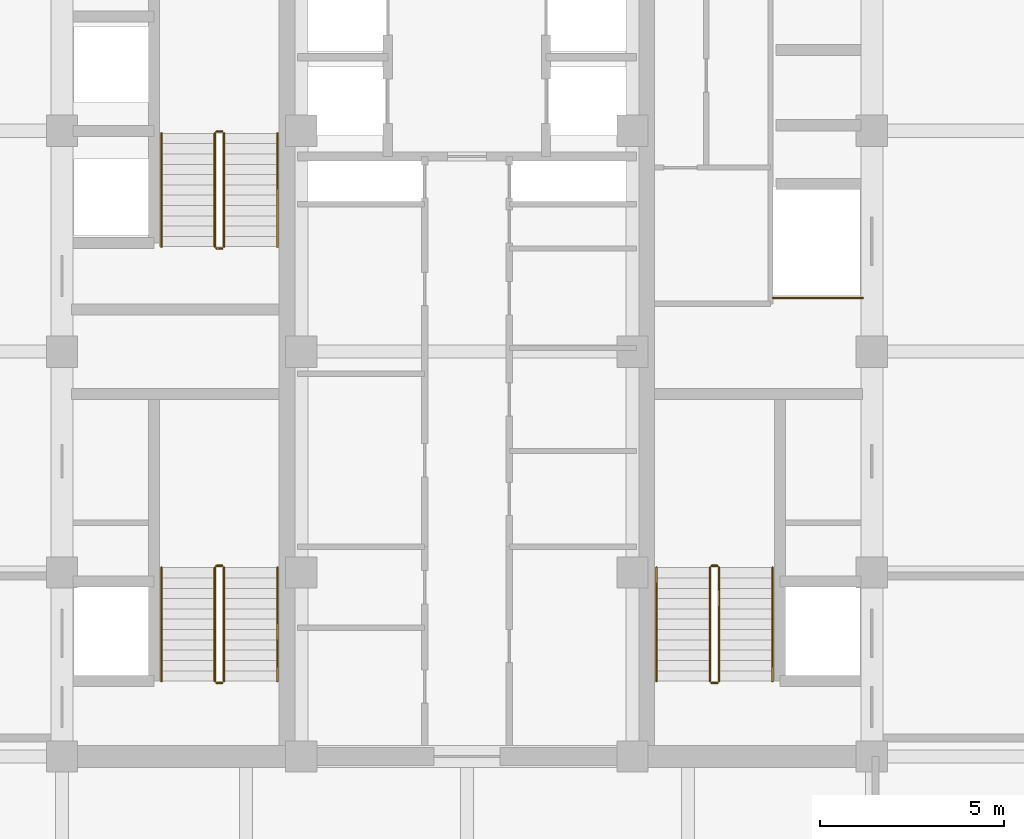
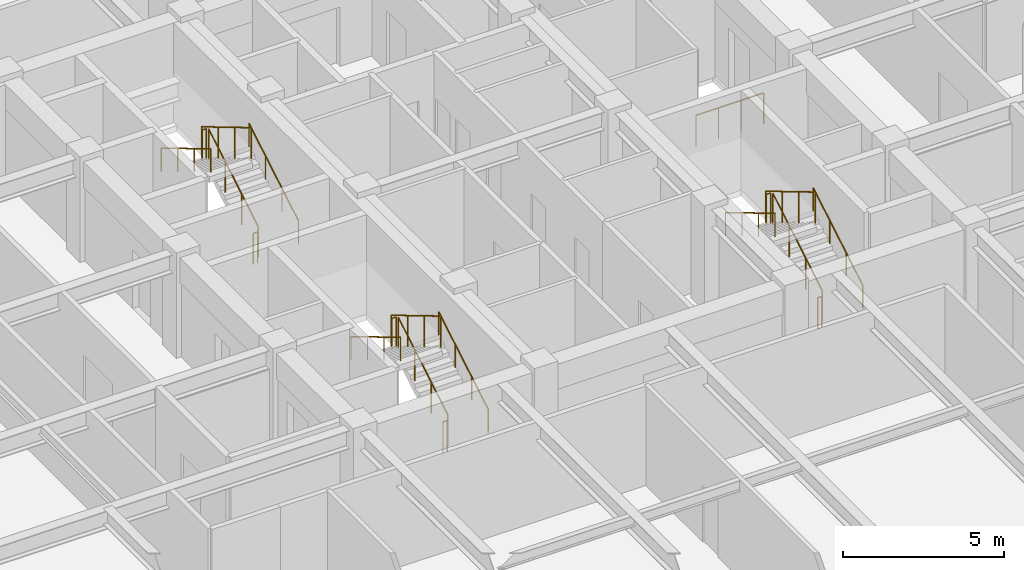
# One storey, part 25 of 25: 19 railings.
"""IFC4 building model written with IfcOpenShell, lengths in metres."""

from ifc_helpers import new_model, si_unit, direction, frame, origin, origin_2d, place, context, subcontext, project, spatial, circle, extrude, source, transform, mapped, material, type_object, element, save


model = new_model("IFC4")

# Units and contexts
model_context = context("Model", 3, precision=1e-05, world=origin(), true_north=direction((0.0, 1.0)))
body_context = subcontext(model_context, "Body", "Model", "MODEL_VIEW")
ifc_project = project(units=[si_unit("LENGTHUNIT", "METRE"), si_unit("AREAUNIT", "SQUARE_METRE"), si_unit("VOLUMEUNIT", "CUBIC_METRE"), si_unit("PLANEANGLEUNIT", "RADIAN"), si_unit("MASSUNIT", "GRAM", prefix="KILO")], contexts=[model_context])

# Site, building, storey
site_placement = place(None, origin())
site = spatial("IfcSite", under=ifc_project, at=site_placement, CompositionType="ELEMENT")
building_placement = place(site_placement, origin())
building = spatial("IfcBuilding", under=site, at=building_placement, Name="Khorayat Bourse Tower", CompositionType="ELEMENT")
storey_placement = place(building_placement, frame((0.0, 0.0, 247.10009765625)))
storey = spatial("IfcBuildingStorey", under=building, at=storey_placement, Name="L58", CompositionType="ELEMENT", Elevation=247.10009765625)

# Railings
ifc_material_1 = material(Name="Powder-coated steel balustrade", Category="steel")
railing_type_1 = type_object("IfcRailingType", Name="RLG-GUARD-1200", PredefinedType="GUARDRAIL", material=ifc_material_1)
shared_shape_1 = source(origin(), body_context, "Body", "SweptSolid", [
    extrude(circle(Radius=0.02392578125, at=origin_2d()), frame((0.0, 0.0, 1.17578125), z_axis=(-1.0, 0.0, 0.0), x_axis=(0.0, -1.0, 0.0)), (0.0, 0.0, 1.0), 0.150146484375),
    extrude(circle(Radius=0.02099609375, at=origin_2d()), origin(), (0.0, 0.0, 1.0), 1.15185546875),
    extrude(circle(Radius=0.02099609375, at=origin_2d()), frame((-0.150146484375, 0.0, 0.0)), (0.0, 0.0, 1.0), 1.15185546875),
])
for number, where, name in (
    (1, (-6.64990234375, -5.820068359375, 2.0), "L58 ST-1 stair guard 2"),
    (2, (-6.64990234375, -9.0, 0.0), "L58 ST-1 stair guard 4"),
    (3, (-6.64990234375, 5.97998046875, 2.0), "L58 ST-2 stair guard 2"),
    (4, (-6.64990234375, 2.800048828125, 0.0), "L58 ST-2 stair guard 4"),
    (5, (6.800048828125, -5.820068359375, 2.0), "L58 ST-3 stair guard 2"),
    (6, (6.800048828125, -9.0, 0.0), "L58 ST-3 stair guard 4"),
):
    element("IfcRailing", number, at=place(storey_placement, frame(where)), inside=storey, type_object=railing_type_1, Name=name, PredefinedType="GUARDRAIL", context=body_context, shape_type="MappedRepresentation", body=[
        mapped(shared_shape_1, transform((0.0, 0.0, 0.0), scale=1.0)),
    ])
shared_shape_2 = source(origin(), body_context, "Body", "SweptSolid", [
    extrude(circle(Radius=0.02392578125, at=origin_2d()), frame((0.0, 0.0, 1.17578125), z_axis=(0.0, 0.859260807169, 0.511537745687), x_axis=(-1.0, 0.0, 0.0)), (0.0, 0.0, 1.0), 3.584228515625),
    extrude(circle(Radius=0.02099609375, at=origin_2d()), origin(), (0.0, 0.0, 1.0), 1.15185546875),
    extrude(circle(Radius=0.02099609375, at=origin_2d()), frame((0.0, 1.026611328125, 0.611083984375)), (0.0, 0.0, 1.0), 1.15185546875),
    extrude(circle(Radius=0.02099609375, at=origin_2d()), frame((0.0, 2.05322265625, 1.222412109375)), (0.0, 0.0, 1.0), 1.15185546875),
    extrude(circle(Radius=0.02099609375, at=origin_2d()), frame((0.0, 3.079833984375, 1.83349609375)), (0.0, 0.0, 1.0), 1.15185546875),
])
for number, where, name in (
    (7, (-6.60009765625, -8.949951171875, 0.16650390625), "L58 ST-1 stair guard 1"),
    (8, (-6.60009765625, 2.85009765625, 0.16650390625), "L58 ST-2 stair guard 1"),
    (9, (6.85009765625, -8.949951171875, 0.16650390625), "L58 ST-3 stair guard 1"),
):
    element("IfcRailing", number, at=place(storey_placement, frame(where)), inside=storey, type_object=railing_type_1, Name=name, PredefinedType="GUARDRAIL", context=body_context, shape_type="MappedRepresentation", body=[
        mapped(shared_shape_2, transform((0.0, 0.0, 0.0), scale=1.0)),
    ])
shared_shape_3 = source(origin(), body_context, "Body", "SweptSolid", [
    extrude(circle(Radius=0.02392578125, at=origin_2d()), frame((0.0, 0.0, 1.17578125), z_axis=(0.0, -0.859260807169, 0.511537745687), x_axis=(1.0, 0.0, 0.0)), (0.0, 0.0, 1.0), 3.584228515625),
    extrude(circle(Radius=0.02099609375, at=origin_2d()), origin(), (0.0, 0.0, 1.0), 1.15185546875),
    extrude(circle(Radius=0.02099609375, at=origin_2d()), frame((0.0, -1.026611328125, 0.611083984375)), (0.0, 0.0, 1.0), 1.15185546875),
    extrude(circle(Radius=0.02099609375, at=origin_2d()), frame((0.0, -2.05322265625, 1.222412109375)), (0.0, 0.0, 1.0), 1.15185546875),
    extrude(circle(Radius=0.02099609375, at=origin_2d()), frame((0.0, -3.079833984375, 1.83349609375)), (0.0, 0.0, 1.0), 1.15185546875),
])
for number, where, name in (
    (10, (-6.85009765625, -5.8701171875, 2.16650390625), "L58 ST-1 stair guard 3"),
    (11, (-6.85009765625, 5.929931640625, 2.16650390625), "L58 ST-2 stair guard 3"),
    (12, (6.60009765625, -5.8701171875, 2.16650390625), "L58 ST-3 stair guard 3"),
):
    element("IfcRailing", number, at=place(storey_placement, frame(where)), inside=storey, type_object=railing_type_1, Name=name, PredefinedType="GUARDRAIL", context=body_context, shape_type="MappedRepresentation", body=[
        mapped(shared_shape_3, transform((0.0, 0.0, 0.0), scale=1.0)),
    ])
ifc_material_2 = material(Name="Brushed bronze stainless-steel handrail", Category="steel")
railing_type_2 = type_object("IfcRailingType", Name="RLG-HAND-900", PredefinedType="HANDRAIL", material=ifc_material_2)
shared_shape_4 = source(origin(), body_context, "Body", "SweptSolid", [
    extrude(circle(Radius=0.02392578125, at=origin_2d()), frame((0.0, 0.0, 0.8759765625), z_axis=(0.0, 0.859260807169, 0.511537745687), x_axis=(-1.0, 0.0, 0.0)), (0.0, 0.0, 1.0), 3.584228515625),
    extrude(circle(Radius=0.02099609375, at=origin_2d()), origin(), (0.0, 0.0, 1.0), 0.851806640625),
    extrude(circle(Radius=0.02099609375, at=origin_2d()), frame((0.0, 1.026611328125, 0.611083984375)), (0.0, 0.0, 1.0), 0.851806640625),
    extrude(circle(Radius=0.02099609375, at=origin_2d()), frame((0.0, 2.05322265625, 1.222412109375)), (0.0, 0.0, 1.0), 0.851806640625),
    extrude(circle(Radius=0.02099609375, at=origin_2d()), frame((0.0, 3.079833984375, 1.83349609375)), (0.0, 0.0, 1.0), 0.851806640625),
])
for number, where, name in (
    (13, (-5.14990234375, -8.949951171875, 0.16650390625), "L58 ST-1 stair handrail 1"),
    (14, (-5.14990234375, 2.85009765625, 0.16650390625), "L58 ST-2 stair handrail 1"),
    (15, (8.300048828125, -8.949951171875, 0.16650390625), "L58 ST-3 stair handrail 1"),
):
    element("IfcRailing", number, at=place(storey_placement, frame(where)), inside=storey, type_object=railing_type_2, Name=name, PredefinedType="HANDRAIL", context=body_context, shape_type="MappedRepresentation", body=[
        mapped(shared_shape_4, transform((0.0, 0.0, 0.0), scale=1.0)),
    ])
shared_shape_5 = source(origin(), body_context, "Body", "SweptSolid", [
    extrude(circle(Radius=0.02392578125, at=origin_2d()), frame((0.0, 0.0, 0.8759765625), z_axis=(0.0, -0.859260807169, 0.511537745687), x_axis=(1.0, 0.0, 0.0)), (0.0, 0.0, 1.0), 3.584228515625),
    extrude(circle(Radius=0.02099609375, at=origin_2d()), origin(), (0.0, 0.0, 1.0), 0.851806640625),
    extrude(circle(Radius=0.02099609375, at=origin_2d()), frame((0.0, -1.026611328125, 0.611083984375)), (0.0, 0.0, 1.0), 0.851806640625),
    extrude(circle(Radius=0.02099609375, at=origin_2d()), frame((0.0, -2.05322265625, 1.222412109375)), (0.0, 0.0, 1.0), 0.851806640625),
    extrude(circle(Radius=0.02099609375, at=origin_2d()), frame((0.0, -3.079833984375, 1.83349609375)), (0.0, 0.0, 1.0), 0.851806640625),
])
for number, where, name in (
    (16, (-8.300048828125, -5.8701171875, 2.16650390625), "L58 ST-1 stair handrail 2"),
    (17, (-8.300048828125, 5.929931640625, 2.16650390625), "L58 ST-2 stair handrail 2"),
    (18, (5.14990234375, -5.8701171875, 2.16650390625), "L58 ST-3 stair handrail 2"),
):
    element("IfcRailing", number, at=place(storey_placement, frame(where)), inside=storey, type_object=railing_type_2, Name=name, PredefinedType="HANDRAIL", context=body_context, shape_type="MappedRepresentation", body=[
        mapped(shared_shape_5, transform((0.0, 0.0, 0.0), scale=1.0)),
    ])
shared_shape_6 = source(origin(), body_context, "Body", "SweptSolid", [
    extrude(circle(Radius=0.02392578125, at=origin_2d()), frame((0.0, 0.0, 1.17578125), z_axis=(1.0, 0.0, 0.0), x_axis=(0.0, 1.0, 0.0)), (0.0, 0.0, 1.0), 2.429931640625),
    extrude(circle(Radius=0.02099609375, at=origin_2d()), origin(), (0.0, 0.0, 1.0), 1.15185546875),
    extrude(circle(Radius=0.02099609375, at=origin_2d()), frame((0.81005859375, 0.0, 0.0)), (0.0, 0.0, 1.0), 1.15185546875),
    extrude(circle(Radius=0.02099609375, at=origin_2d()), frame((1.619873046875, 0.0, 0.0)), (0.0, 0.0, 1.0), 1.15185546875),
    extrude(circle(Radius=0.02099609375, at=origin_2d()), frame((2.429931640625, 0.0, 0.0)), (0.0, 0.0, 1.0), 1.15185546875),
])
railing_placement = place(storey_placement, frame((8.320068359375, 1.4599609375, 0.0)))
element("IfcRailing", 19, at=railing_placement, inside=storey, type_object=railing_type_1, Name="L58 Goods Shaft Opening Guardrail", PredefinedType="GUARDRAIL", context=body_context, shape_type="MappedRepresentation", body=[
    mapped(shared_shape_6, transform((0.0, 0.0, 0.0), scale=1.0)),
])

save(model, "model.ifc")
